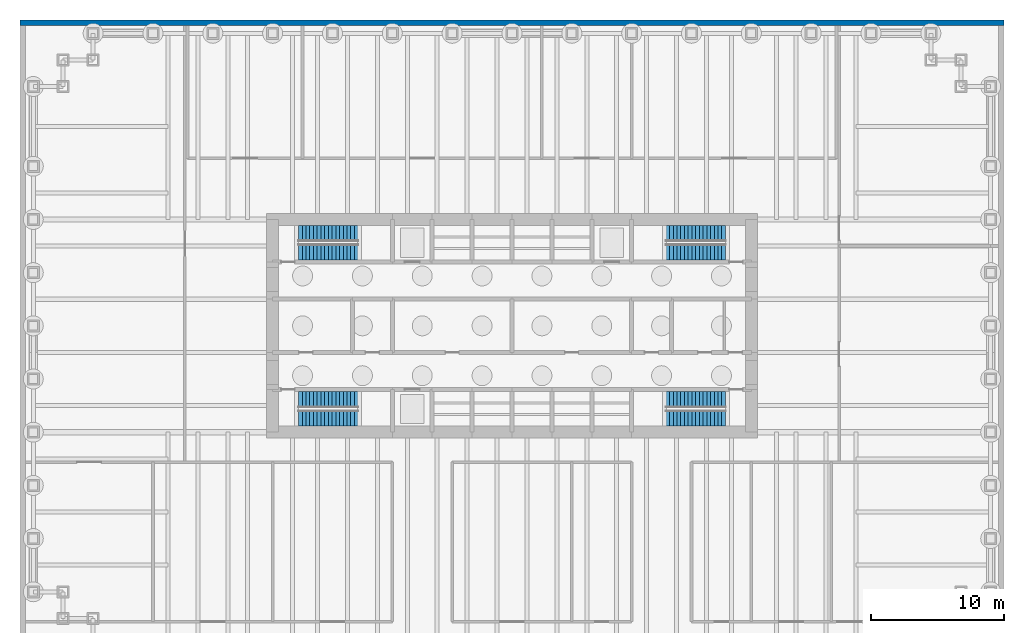
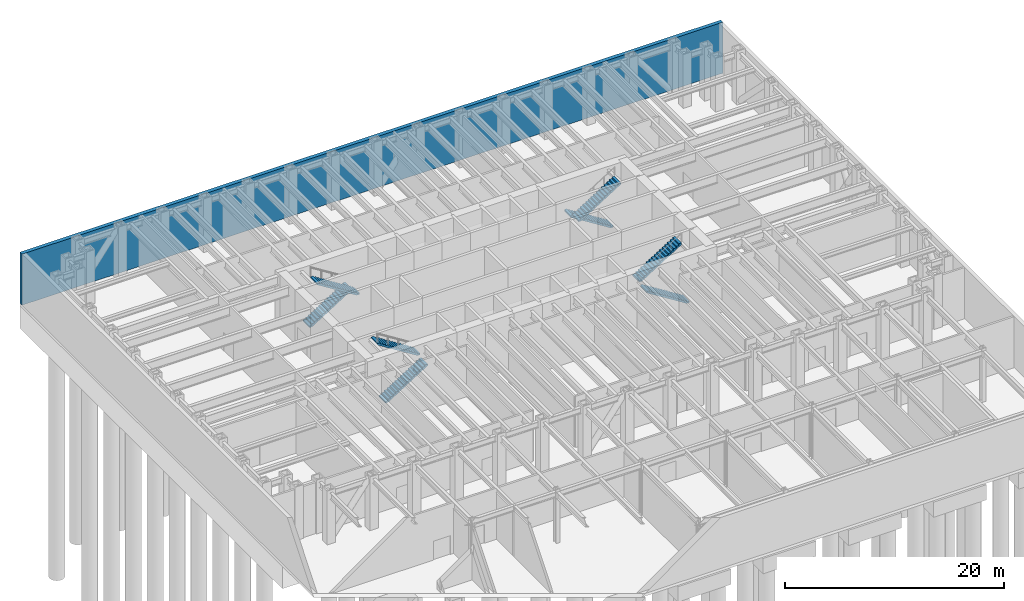
# One storey, part 7 of 9: 8 stair flights, 1 wall, 4 elements without a shape of their own.
"""IFC4 building model written with IfcOpenShell, lengths in metres."""

from ifc_helpers import new_model, si_unit, direction, frame, frame_2d, origin, place, context, subcontext, project, spatial, polyline, rectangle, outline, extrude, material, layer, layer_set, type_object, element, aggregate, save


model = new_model("IFC4")

# Units and contexts
model_context = context("Model", 3, precision=1e-05, world=origin(), true_north=direction((0.0, 1.0)))
body_context = subcontext(model_context, "Body", "Model", "MODEL_VIEW")
ifc_project = project(units=[si_unit("LENGTHUNIT", "METRE"), si_unit("AREAUNIT", "SQUARE_METRE"), si_unit("VOLUMEUNIT", "CUBIC_METRE"), si_unit("PLANEANGLEUNIT", "RADIAN"), si_unit("MASSUNIT", "GRAM", prefix="KILO")], contexts=[model_context])

# Site, building, storey
site_placement = place(None, origin())
site = spatial("IfcSite", under=ifc_project, at=site_placement, CompositionType="ELEMENT")
building_placement = place(site_placement, origin())
building = spatial("IfcBuilding", under=site, at=building_placement, Name="Rheinbord Bourse Tower", CompositionType="ELEMENT")
storey_placement = place(building_placement, frame((0.0, 0.0, -6.0)))
storey = spatial("IfcBuildingStorey", under=building, at=storey_placement, Name="B1", CompositionType="ELEMENT", Elevation=-6.0)

# Wall
ifc_material_1 = material(Name="Concrete C35/45", Category="concrete")
ifc_layer = layer(ifc_material_1, 0.39990234375)
ifc_layer_set = layer_set([ifc_layer], Name="BASEMENT RETAINING WALL 400")
wall_type = type_object("IfcWallType", Name="BASEMENT RETAINING WALL 400", PredefinedType="SOLIDWALL", material=ifc_layer_set)
wall_placement = place(storey_placement, frame((73.0, 46.800048828125, 0.0), z_axis=(0.0, 0.0, 1.0), x_axis=(-1.0, 0.0, 0.0)))
element("IfcWall", 1, at=wall_placement, inside=storey, type_object=wall_type, Name="Basement retaining wall N", PredefinedType="SOLIDWALL", context=body_context, shape_type="SweptSolid", body=[
    extrude(rectangle(XDim=74.0, YDim=0.39990234375, at=frame_2d((37.0, 0.0))), origin(), (0.0, 0.0, 1.0), 5.699951171875),
])

# Stair, stair flights
ifc_material_2 = material(Name="Concrete C30/37", Category="concrete")
stair_type = type_object("IfcStairType", Name="CORE STAIR HALF TURN 6000", PredefinedType="HALF_TURN_STAIR", material=ifc_material_2)
stair_1_placement = place(storey_placement, origin())
stair_1 = element("IfcStair", 2, at=stair_1_placement, inside=storey, type_object=stair_type, Name="Stair ST1 B1, type CS1", PredefinedType="HALF_TURN_STAIR")
ifc_material_3 = material(Name="Concrete C30/37", Category="concrete")
stair_flight_type = type_object("IfcStairFlightType", Name="CORE STAIR FLIGHT 1200, 17 RISERS", PredefinedType="STRAIGHT", material=ifc_material_3)
stair_flight_1_placement = place(storey_placement, frame((19.949951171875, 17.050048828125, 0.0), z_axis=(0.0, 0.0, 1.0), x_axis=(1.0, 0.0, 0.0)))
stair_flight_1 = element("IfcStairFlight", 3, at=stair_flight_1_placement, type_object=stair_flight_type, Name="STAIR B1 ST1 F1", NumberOfRisers=17, NumberOfTreads=16, PredefinedType="STRAIGHT", RiserHeight=0.176470588, TreadLength=0.28, context=body_context, shape_type="SweptSolid", body=[
    extrude(outline(polyline([(0.0, 0.0), (0.0, 0.176513671875), (0.280029296875, 0.176513671875), (0.280029296875, 0.35302734375), (0.56005859375, 0.35302734375), (0.56005859375, 0.529296875), (0.840087890625, 0.529296875), (0.840087890625, 0.705810546875), (1.1201171875, 0.705810546875), (1.1201171875, 0.88232421875), (1.39990234375, 0.88232421875), (1.39990234375, 1.058837890625), (1.679931640625, 1.058837890625), (1.679931640625, 1.2353515625), (1.9599609375, 1.2353515625), (1.9599609375, 1.411865234375), (2.239990234375, 1.411865234375), (2.239990234375, 1.588134765625), (2.52001953125, 1.588134765625), (2.52001953125, 1.7646484375), (2.800048828125, 1.7646484375), (2.800048828125, 1.941162109375), (3.080078125, 1.941162109375), (3.080078125, 2.11767578125), (3.360107421875, 2.11767578125), (3.360107421875, 2.294189453125), (3.639892578125, 2.294189453125), (3.639892578125, 2.470703125), (3.919921875, 2.470703125), (3.919921875, 2.64697265625), (4.199951171875, 2.64697265625), (4.199951171875, 2.823486328125), (4.47998046875, 2.823486328125), (4.47998046875, 3.0), (4.47998046875, 2.646240234375), (0.28125, 0.0), (0.0, 0.0)])), frame((0.0, 0.60009765625, 0.0), z_axis=(0.0, -1.0, 0.0), x_axis=(1.0, 0.0, 0.0)), (0.0, 0.0, 1.0), 1.199951171875),
])
stair_flight_2_placement = place(storey_placement, frame((24.429931640625, 18.449951171875, 3.0), z_axis=(0.0, 0.0, 1.0), x_axis=(-1.0, 0.0, 0.0)))
stair_flight_2 = element("IfcStairFlight", 4, at=stair_flight_2_placement, type_object=stair_flight_type, Name="STAIR B1 ST1 F2", NumberOfRisers=17, NumberOfTreads=16, PredefinedType="STRAIGHT", RiserHeight=0.176470588, TreadLength=0.28, context=body_context, shape_type="SweptSolid", body=[
    extrude(outline(polyline([(0.0, 0.0), (0.0, 0.176513671875), (0.280029296875, 0.176513671875), (0.280029296875, 0.35302734375), (0.56005859375, 0.35302734375), (0.56005859375, 0.529296875), (0.840087890625, 0.529296875), (0.840087890625, 0.705810546875), (1.1201171875, 0.705810546875), (1.1201171875, 0.88232421875), (1.39990234375, 0.88232421875), (1.39990234375, 1.058837890625), (1.679931640625, 1.058837890625), (1.679931640625, 1.2353515625), (1.9599609375, 1.2353515625), (1.9599609375, 1.411865234375), (2.239990234375, 1.411865234375), (2.239990234375, 1.588134765625), (2.52001953125, 1.588134765625), (2.52001953125, 1.7646484375), (2.800048828125, 1.7646484375), (2.800048828125, 1.941162109375), (3.080078125, 1.941162109375), (3.080078125, 2.11767578125), (3.360107421875, 2.11767578125), (3.360107421875, 2.294189453125), (3.639892578125, 2.294189453125), (3.639892578125, 2.470703125), (3.919921875, 2.470703125), (3.919921875, 2.64697265625), (4.199951171875, 2.64697265625), (4.199951171875, 2.823486328125), (4.47998046875, 2.823486328125), (4.47998046875, 3.0), (4.47998046875, 2.646240234375), (0.28125, 0.0), (0.0, 0.0)])), frame((0.0, 0.60009765625, 0.0), z_axis=(0.0, -1.0, 0.0), x_axis=(1.0, 0.0, 0.0)), (0.0, 0.0, 1.0), 1.199951171875),
])
aggregate(stair_1, [stair_flight_1, stair_flight_2])

stair_2_placement = place(storey_placement, origin())
stair_2 = element("IfcStair", 5, at=stair_2_placement, inside=storey, type_object=stair_type, Name="Stair ST2 B1, type CS1", PredefinedType="HALF_TURN_STAIR")
stair_flight_3_placement = place(storey_placement, frame((19.949951171875, 30.949951171875, 0.0), z_axis=(0.0, 0.0, 1.0), x_axis=(1.0, 0.0, 0.0)))
stair_flight_3 = element("IfcStairFlight", 6, at=stair_flight_3_placement, type_object=stair_flight_type, Name="STAIR B1 ST2 F1", NumberOfRisers=17, NumberOfTreads=16, PredefinedType="STRAIGHT", RiserHeight=0.176470588, TreadLength=0.28, context=body_context, shape_type="SweptSolid", body=[
    extrude(outline(polyline([(0.0, 0.0), (0.0, 0.176513671875), (0.280029296875, 0.176513671875), (0.280029296875, 0.35302734375), (0.56005859375, 0.35302734375), (0.56005859375, 0.529296875), (0.840087890625, 0.529296875), (0.840087890625, 0.705810546875), (1.1201171875, 0.705810546875), (1.1201171875, 0.88232421875), (1.39990234375, 0.88232421875), (1.39990234375, 1.058837890625), (1.679931640625, 1.058837890625), (1.679931640625, 1.2353515625), (1.9599609375, 1.2353515625), (1.9599609375, 1.411865234375), (2.239990234375, 1.411865234375), (2.239990234375, 1.588134765625), (2.52001953125, 1.588134765625), (2.52001953125, 1.7646484375), (2.800048828125, 1.7646484375), (2.800048828125, 1.941162109375), (3.080078125, 1.941162109375), (3.080078125, 2.11767578125), (3.360107421875, 2.11767578125), (3.360107421875, 2.294189453125), (3.639892578125, 2.294189453125), (3.639892578125, 2.470703125), (3.919921875, 2.470703125), (3.919921875, 2.64697265625), (4.199951171875, 2.64697265625), (4.199951171875, 2.823486328125), (4.47998046875, 2.823486328125), (4.47998046875, 3.0), (4.47998046875, 2.646240234375), (0.28125, 0.0), (0.0, 0.0)])), frame((0.0, 0.60009765625, 0.0), z_axis=(0.0, -1.0, 0.0), x_axis=(1.0, 0.0, 0.0)), (0.0, 0.0, 1.0), 1.199951171875),
])
stair_flight_4_placement = place(storey_placement, frame((24.429931640625, 29.550048828125, 3.0), z_axis=(0.0, 0.0, 1.0), x_axis=(-1.0, 0.0, 0.0)))
stair_flight_4 = element("IfcStairFlight", 7, at=stair_flight_4_placement, type_object=stair_flight_type, Name="STAIR B1 ST2 F2", NumberOfRisers=17, NumberOfTreads=16, PredefinedType="STRAIGHT", RiserHeight=0.176470588, TreadLength=0.28, context=body_context, shape_type="SweptSolid", body=[
    extrude(outline(polyline([(0.0, 0.0), (0.0, 0.176513671875), (0.280029296875, 0.176513671875), (0.280029296875, 0.35302734375), (0.56005859375, 0.35302734375), (0.56005859375, 0.529296875), (0.840087890625, 0.529296875), (0.840087890625, 0.705810546875), (1.1201171875, 0.705810546875), (1.1201171875, 0.88232421875), (1.39990234375, 0.88232421875), (1.39990234375, 1.058837890625), (1.679931640625, 1.058837890625), (1.679931640625, 1.2353515625), (1.9599609375, 1.2353515625), (1.9599609375, 1.411865234375), (2.239990234375, 1.411865234375), (2.239990234375, 1.588134765625), (2.52001953125, 1.588134765625), (2.52001953125, 1.7646484375), (2.800048828125, 1.7646484375), (2.800048828125, 1.941162109375), (3.080078125, 1.941162109375), (3.080078125, 2.11767578125), (3.360107421875, 2.11767578125), (3.360107421875, 2.294189453125), (3.639892578125, 2.294189453125), (3.639892578125, 2.470703125), (3.919921875, 2.470703125), (3.919921875, 2.64697265625), (4.199951171875, 2.64697265625), (4.199951171875, 2.823486328125), (4.47998046875, 2.823486328125), (4.47998046875, 3.0), (4.47998046875, 2.646240234375), (0.28125, 0.0), (0.0, 0.0)])), frame((0.0, 0.60009765625, 0.0), z_axis=(0.0, -1.0, 0.0), x_axis=(1.0, 0.0, 0.0)), (0.0, 0.0, 1.0), 1.199951171875),
])
aggregate(stair_2, [stair_flight_3, stair_flight_4])

stair_3_placement = place(storey_placement, origin())
stair_3 = element("IfcStair", 8, at=stair_3_placement, inside=storey, type_object=stair_type, Name="Stair ST3 B1, type CS1", PredefinedType="HALF_TURN_STAIR")
stair_flight_5_placement = place(storey_placement, frame((52.050048828125, 17.050048828125, 0.0), z_axis=(0.0, 0.0, 1.0), x_axis=(-1.0, 0.0, 0.0)))
stair_flight_5 = element("IfcStairFlight", 9, at=stair_flight_5_placement, type_object=stair_flight_type, Name="STAIR B1 ST3 F1", NumberOfRisers=17, NumberOfTreads=16, PredefinedType="STRAIGHT", RiserHeight=0.176470588, TreadLength=0.28, context=body_context, shape_type="SweptSolid", body=[
    extrude(outline(polyline([(0.0, 0.0), (0.0, 0.176513671875), (0.280029296875, 0.176513671875), (0.280029296875, 0.35302734375), (0.56005859375, 0.35302734375), (0.56005859375, 0.529296875), (0.840087890625, 0.529296875), (0.840087890625, 0.705810546875), (1.1201171875, 0.705810546875), (1.1201171875, 0.88232421875), (1.39990234375, 0.88232421875), (1.39990234375, 1.058837890625), (1.679931640625, 1.058837890625), (1.679931640625, 1.2353515625), (1.9599609375, 1.2353515625), (1.9599609375, 1.411865234375), (2.239990234375, 1.411865234375), (2.239990234375, 1.588134765625), (2.52001953125, 1.588134765625), (2.52001953125, 1.7646484375), (2.800048828125, 1.7646484375), (2.800048828125, 1.941162109375), (3.080078125, 1.941162109375), (3.080078125, 2.11767578125), (3.360107421875, 2.11767578125), (3.360107421875, 2.294189453125), (3.639892578125, 2.294189453125), (3.639892578125, 2.470703125), (3.919921875, 2.470703125), (3.919921875, 2.64697265625), (4.199951171875, 2.64697265625), (4.199951171875, 2.823486328125), (4.47998046875, 2.823486328125), (4.47998046875, 3.0), (4.47998046875, 2.646240234375), (0.28125, 0.0), (0.0, 0.0)])), frame((0.0, 0.60009765625, 0.0), z_axis=(0.0, -1.0, 0.0), x_axis=(1.0, 0.0, 0.0)), (0.0, 0.0, 1.0), 1.199951171875),
])
stair_flight_6_placement = place(storey_placement, frame((47.570068359375, 18.449951171875, 3.0), z_axis=(0.0, 0.0, 1.0), x_axis=(1.0, 0.0, 0.0)))
stair_flight_6 = element("IfcStairFlight", 10, at=stair_flight_6_placement, type_object=stair_flight_type, Name="STAIR B1 ST3 F2", NumberOfRisers=17, NumberOfTreads=16, PredefinedType="STRAIGHT", RiserHeight=0.176470588, TreadLength=0.28, context=body_context, shape_type="SweptSolid", body=[
    extrude(outline(polyline([(0.0, 0.0), (0.0, 0.176513671875), (0.280029296875, 0.176513671875), (0.280029296875, 0.35302734375), (0.56005859375, 0.35302734375), (0.56005859375, 0.529296875), (0.840087890625, 0.529296875), (0.840087890625, 0.705810546875), (1.1201171875, 0.705810546875), (1.1201171875, 0.88232421875), (1.39990234375, 0.88232421875), (1.39990234375, 1.058837890625), (1.679931640625, 1.058837890625), (1.679931640625, 1.2353515625), (1.9599609375, 1.2353515625), (1.9599609375, 1.411865234375), (2.239990234375, 1.411865234375), (2.239990234375, 1.588134765625), (2.52001953125, 1.588134765625), (2.52001953125, 1.7646484375), (2.800048828125, 1.7646484375), (2.800048828125, 1.941162109375), (3.080078125, 1.941162109375), (3.080078125, 2.11767578125), (3.360107421875, 2.11767578125), (3.360107421875, 2.294189453125), (3.639892578125, 2.294189453125), (3.639892578125, 2.470703125), (3.919921875, 2.470703125), (3.919921875, 2.64697265625), (4.199951171875, 2.64697265625), (4.199951171875, 2.823486328125), (4.47998046875, 2.823486328125), (4.47998046875, 3.0), (4.47998046875, 2.646240234375), (0.28125, 0.0), (0.0, 0.0)])), frame((0.0, 0.60009765625, 0.0), z_axis=(0.0, -1.0, 0.0), x_axis=(1.0, 0.0, 0.0)), (0.0, 0.0, 1.0), 1.199951171875),
])
aggregate(stair_3, [stair_flight_5, stair_flight_6])

stair_4_placement = place(storey_placement, origin())
stair_4 = element("IfcStair", 11, at=stair_4_placement, inside=storey, type_object=stair_type, Name="Stair ST4 B1, type CS1", PredefinedType="HALF_TURN_STAIR")
stair_flight_7_placement = place(storey_placement, frame((52.050048828125, 30.949951171875, 0.0), z_axis=(0.0, 0.0, 1.0), x_axis=(-1.0, 0.0, 0.0)))
stair_flight_7 = element("IfcStairFlight", 12, at=stair_flight_7_placement, type_object=stair_flight_type, Name="STAIR B1 ST4 F1", NumberOfRisers=17, NumberOfTreads=16, PredefinedType="STRAIGHT", RiserHeight=0.176470588, TreadLength=0.28, context=body_context, shape_type="SweptSolid", body=[
    extrude(outline(polyline([(0.0, 0.0), (0.0, 0.176513671875), (0.280029296875, 0.176513671875), (0.280029296875, 0.35302734375), (0.56005859375, 0.35302734375), (0.56005859375, 0.529296875), (0.840087890625, 0.529296875), (0.840087890625, 0.705810546875), (1.1201171875, 0.705810546875), (1.1201171875, 0.88232421875), (1.39990234375, 0.88232421875), (1.39990234375, 1.058837890625), (1.679931640625, 1.058837890625), (1.679931640625, 1.2353515625), (1.9599609375, 1.2353515625), (1.9599609375, 1.411865234375), (2.239990234375, 1.411865234375), (2.239990234375, 1.588134765625), (2.52001953125, 1.588134765625), (2.52001953125, 1.7646484375), (2.800048828125, 1.7646484375), (2.800048828125, 1.941162109375), (3.080078125, 1.941162109375), (3.080078125, 2.11767578125), (3.360107421875, 2.11767578125), (3.360107421875, 2.294189453125), (3.639892578125, 2.294189453125), (3.639892578125, 2.470703125), (3.919921875, 2.470703125), (3.919921875, 2.64697265625), (4.199951171875, 2.64697265625), (4.199951171875, 2.823486328125), (4.47998046875, 2.823486328125), (4.47998046875, 3.0), (4.47998046875, 2.646240234375), (0.28125, 0.0), (0.0, 0.0)])), frame((0.0, 0.60009765625, 0.0), z_axis=(0.0, -1.0, 0.0), x_axis=(1.0, 0.0, 0.0)), (0.0, 0.0, 1.0), 1.199951171875),
])
stair_flight_8_placement = place(storey_placement, frame((47.570068359375, 29.550048828125, 3.0), z_axis=(0.0, 0.0, 1.0), x_axis=(1.0, 0.0, 0.0)))
stair_flight_8 = element("IfcStairFlight", 13, at=stair_flight_8_placement, type_object=stair_flight_type, Name="STAIR B1 ST4 F2", NumberOfRisers=17, NumberOfTreads=16, PredefinedType="STRAIGHT", RiserHeight=0.176470588, TreadLength=0.28, context=body_context, shape_type="SweptSolid", body=[
    extrude(outline(polyline([(0.0, 0.0), (0.0, 0.176513671875), (0.280029296875, 0.176513671875), (0.280029296875, 0.35302734375), (0.56005859375, 0.35302734375), (0.56005859375, 0.529296875), (0.840087890625, 0.529296875), (0.840087890625, 0.705810546875), (1.1201171875, 0.705810546875), (1.1201171875, 0.88232421875), (1.39990234375, 0.88232421875), (1.39990234375, 1.058837890625), (1.679931640625, 1.058837890625), (1.679931640625, 1.2353515625), (1.9599609375, 1.2353515625), (1.9599609375, 1.411865234375), (2.239990234375, 1.411865234375), (2.239990234375, 1.588134765625), (2.52001953125, 1.588134765625), (2.52001953125, 1.7646484375), (2.800048828125, 1.7646484375), (2.800048828125, 1.941162109375), (3.080078125, 1.941162109375), (3.080078125, 2.11767578125), (3.360107421875, 2.11767578125), (3.360107421875, 2.294189453125), (3.639892578125, 2.294189453125), (3.639892578125, 2.470703125), (3.919921875, 2.470703125), (3.919921875, 2.64697265625), (4.199951171875, 2.64697265625), (4.199951171875, 2.823486328125), (4.47998046875, 2.823486328125), (4.47998046875, 3.0), (4.47998046875, 2.646240234375), (0.28125, 0.0), (0.0, 0.0)])), frame((0.0, 0.60009765625, 0.0), z_axis=(0.0, -1.0, 0.0), x_axis=(1.0, 0.0, 0.0)), (0.0, 0.0, 1.0), 1.199951171875),
])
aggregate(stair_4, [stair_flight_7, stair_flight_8])

save(model, "model.ifc")
